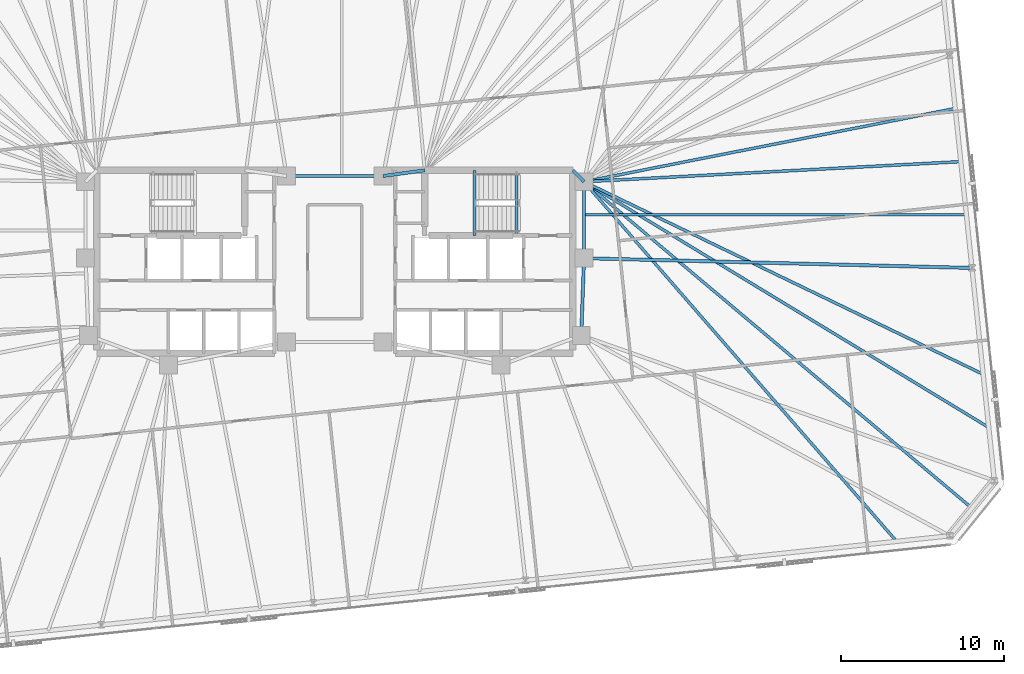
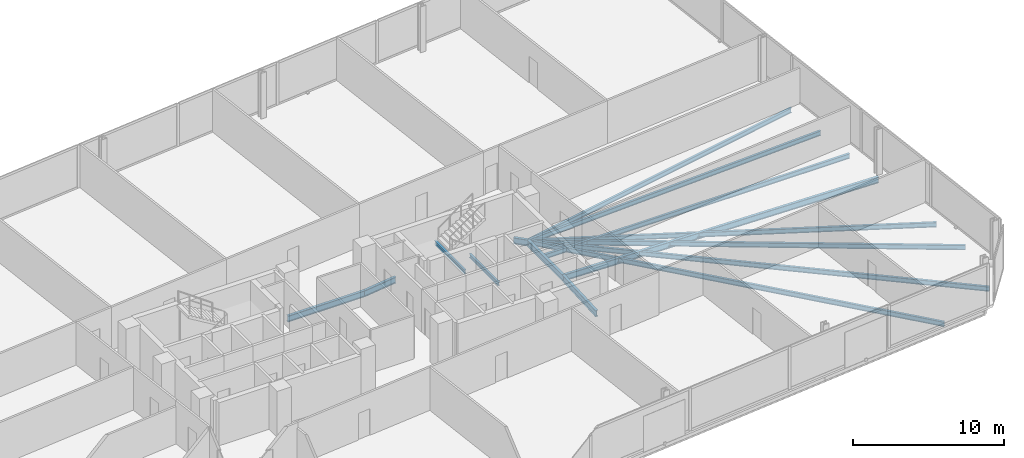
# One storey, part 8 of 18: 15 beams.
"""IFC4 building model written with IfcOpenShell, lengths in metres."""

from ifc_helpers import new_model, si_unit, direction, frame, origin, origin_2d, place, context, subcontext, project, spatial, i_section, extrude, material, material_profile, profile_set, type_object, element, save


model = new_model("IFC4")

# Units and contexts
model_context = context("Model", 3, precision=1e-05, world=origin(), true_north=direction((0.0, 1.0)))
body_context = subcontext(model_context, "Body", "Model", "MODEL_VIEW")
ifc_project = project(units=[si_unit("LENGTHUNIT", "METRE"), si_unit("AREAUNIT", "SQUARE_METRE"), si_unit("VOLUMEUNIT", "CUBIC_METRE"), si_unit("PLANEANGLEUNIT", "RADIAN"), si_unit("MASSUNIT", "GRAM", prefix="KILO")], contexts=[model_context])

# Site, building, storey
site_placement = place(None, origin())
site = spatial("IfcSite", under=ifc_project, at=site_placement, CompositionType="ELEMENT")
building_placement = place(site_placement, origin())
building = spatial("IfcBuilding", under=site, at=building_placement, Name="Menara Jurai Vektor", CompositionType="ELEMENT")
storey_placement = place(building_placement, frame((0.0, 0.0, 120.699951171875)))
storey = spatial("IfcBuildingStorey", under=building, at=storey_placement, Name="L30", CompositionType="ELEMENT", Elevation=120.699951171875)

# Beams
ifc_material = material(Name="Steel S355", Category="steel")
ifc_material_profile_1 = material_profile(ifc_material, i_section(OverallWidth=0.199951171875, OverallDepth=0.5, WebThickness=0.011962890625, FlangeThickness=0.02001953125, at=origin_2d()), Name="PG 500x200x96")
ifc_profile_set_1 = profile_set([ifc_material_profile_1], Name="Steel S355")
beam_type_1 = type_object("IfcBeamType", Name="STR-BM-500", PredefinedType="BEAM", material=ifc_profile_set_1)
beam_1_placement = place(storey_placement, frame((2.949951171875, 5.25, -0.474853515625), z_axis=(0.990706818608, 0.136014703483, 0.0), x_axis=(-0.136014703483, 0.990706818608, 0.0)))
element("IfcBeam", 1, at=beam_1_placement, inside=storey, type_object=beam_type_1, Name="Core Ring Header Girder L30-CHE-N1", PredefinedType="BEAM", context=body_context, shape_type="SweptSolid", body=[
    extrude(i_section(OverallWidth=0.199951171875, OverallDepth=0.5, WebThickness=0.011962890625, FlangeThickness=0.02001953125, at=origin_2d()), origin(), (0.0, 0.0, 1.0), 2.573974609375),
])
beam_2_placement = place(storey_placement, frame((14.56005859375, 5.60009765625, -0.474853515625), z_axis=(0.701871936926, -0.712303154672, 0.0), x_axis=(0.712303154672, 0.701871936926, 0.0)))
element("IfcBeam", 2, at=beam_2_placement, inside=storey, type_object=beam_type_1, Name="Core Ring Header Girder L30-CHE-N2", PredefinedType="BEAM", context=body_context, shape_type="SweptSolid", body=[
    extrude(i_section(OverallWidth=0.199951171875, OverallDepth=0.5, WebThickness=0.011962890625, FlangeThickness=0.02001953125, at=origin_2d()), origin(), (0.0, 0.0, 1.0), 0.98291015625),
])
beam_3_placement = place(storey_placement, frame((15.25, 0.219970703125, -0.474853515625), z_axis=(0.0, 1.0, 0.0), x_axis=(-1.0, 0.0, 0.0)))
element("IfcBeam", 3, at=beam_3_placement, inside=storey, type_object=beam_type_1, Name="Core Ring Header Girder L30-CHE-E1", PredefinedType="BEAM", context=body_context, shape_type="SweptSolid", body=[
    extrude(i_section(OverallWidth=0.199951171875, OverallDepth=0.5, WebThickness=0.011962890625, FlangeThickness=0.02001953125, at=origin_2d()), origin(), (0.0, 0.0, 1.0), 4.679931640625),
])
beam_4_placement = place(storey_placement, frame((15.080078125, -4.5, -0.474853515625), z_axis=(0.035977314146, 0.999352606874, 0.0), x_axis=(-0.999352606874, 0.035977314146, 0.0)))
element("IfcBeam", 4, at=beam_4_placement, inside=storey, type_object=beam_type_1, Name="Core Ring Header Girder L30-CHE-E2", PredefinedType="BEAM", context=body_context, shape_type="SweptSolid", body=[
    extrude(i_section(OverallWidth=0.199951171875, OverallDepth=0.5, WebThickness=0.011962890625, FlangeThickness=0.02001953125, at=origin_2d()), origin(), (0.0, 0.0, 1.0), 4.72314453125),
])
beam_5_placement = place(storey_placement, frame((-2.949951171875, 5.25, -0.474853515625), z_axis=(1.0, 0.0, 0.0), x_axis=(0.0, 1.0, 0.0)))
element("IfcBeam", 5, at=beam_5_placement, inside=storey, type_object=beam_type_1, Name="Core Ring Header Girder L30-CC-2", PredefinedType="BEAM", context=body_context, shape_type="SweptSolid", body=[
    extrude(i_section(OverallWidth=0.199951171875, OverallDepth=0.5, WebThickness=0.011962890625, FlangeThickness=0.02001953125, at=origin_2d()), origin(), (0.0, 0.0, 1.0), 5.89990234375),
])
beam_6_placement = place(storey_placement, frame((38.98828125, -0.375, -0.474853515625), z_axis=(-0.999686051749, 0.02505589629, 0.0), x_axis=(-0.02505589629, -0.999686051749, 0.0)))
element("IfcBeam", 6, at=beam_6_placement, inside=storey, type_object=beam_type_1, Name="Radial Floor Girder L30-E2", PredefinedType="BEAM", context=body_context, shape_type="SweptSolid", body=[
    extrude(i_section(OverallWidth=0.199951171875, OverallDepth=0.5, WebThickness=0.011962890625, FlangeThickness=0.02001953125, at=origin_2d()), origin(), (0.0, 0.0, 1.0), 23.745849609375),
])
ifc_material_profile_2 = material_profile(ifc_material, i_section(OverallWidth=0.175048828125, OverallDepth=0.3798828125, WebThickness=0.010009765625, FlangeThickness=0.014892578125, at=origin_2d()), Name="PG 380x175x58")
ifc_profile_set_2 = profile_set([ifc_material_profile_2], Name="Steel S355")
beam_type_2 = type_object("IfcBeamType", Name="STR-JS-380", PredefinedType="JOIST", material=ifc_profile_set_2)
beam_7_placement = place(storey_placement, frame((34.376953125, -17.106201171875, -0.4150390625), z_axis=(-0.656007047389, 0.754754763996, 0.0), x_axis=(-0.754754763996, -0.656007047389, 0.0)))
element("IfcBeam", 7, at=beam_7_placement, inside=storey, type_object=beam_type_2, Name="Radial Secondary Floor Joist L30-JS09", PredefinedType="JOIST", context=body_context, shape_type="SweptSolid", body=[
    extrude(i_section(OverallWidth=0.175048828125, OverallDepth=0.3798828125, WebThickness=0.010009765625, FlangeThickness=0.014892578125, at=origin_2d()), origin(), (0.0, 0.0, 1.0), 29.15673828125),
])
beam_8_placement = place(storey_placement, frame((38.989013671875, -15.076904296875, -0.4150390625), z_axis=(-0.765132553444, 0.643872794627, 0.0), x_axis=(-0.643872794627, -0.765132553444, 0.0)))
element("IfcBeam", 8, at=beam_8_placement, inside=storey, type_object=beam_type_2, Name="Radial Secondary Floor Joist L30-JS10", PredefinedType="JOIST", context=body_context, shape_type="SweptSolid", body=[
    extrude(i_section(OverallWidth=0.175048828125, OverallDepth=0.3798828125, WebThickness=0.010009765625, FlangeThickness=0.014892578125, at=origin_2d()), origin(), (0.0, 0.0, 1.0), 31.026123046875),
])
beam_9_placement = place(storey_placement, frame((40.01416015625, -10.13525390625, -0.4150390625), z_axis=(-0.854790986557, 0.518972416706, 0.0), x_axis=(-0.518972416706, -0.854790986557, 0.0)))
element("IfcBeam", 9, at=beam_9_placement, inside=storey, type_object=beam_type_2, Name="Radial Secondary Floor Joist L30-JS11", PredefinedType="JOIST", context=body_context, shape_type="SweptSolid", body=[
    extrude(i_section(OverallWidth=0.175048828125, OverallDepth=0.3798828125, WebThickness=0.010009765625, FlangeThickness=0.014892578125, at=origin_2d()), origin(), (0.0, 0.0, 1.0), 28.970947265625),
])
beam_10_placement = place(storey_placement, frame((39.672119140625, -6.8818359375, -0.4150390625), z_axis=(-0.90067072624, 0.434502293312, 0.0), x_axis=(-0.434502293312, -0.90067072624, 0.0)))
element("IfcBeam", 10, at=beam_10_placement, inside=storey, type_object=beam_type_2, Name="Radial Secondary Floor Joist L30-JS12", PredefinedType="JOIST", context=body_context, shape_type="SweptSolid", body=[
    extrude(i_section(OverallWidth=0.175048828125, OverallDepth=0.3798828125, WebThickness=0.010009765625, FlangeThickness=0.014892578125, at=origin_2d()), origin(), (0.0, 0.0, 1.0), 27.115478515625),
])
beam_11_placement = place(storey_placement, frame((38.646484375, 2.87841796875, -0.4150390625), z_axis=(-1.0, 0.0, 0.0), x_axis=(0.0, -1.0, 0.0)))
element("IfcBeam", 11, at=beam_11_placement, inside=storey, type_object=beam_type_2, Name="Radial Secondary Floor Joist L30-JS13", PredefinedType="JOIST", context=body_context, shape_type="SweptSolid", body=[
    extrude(i_section(OverallWidth=0.175048828125, OverallDepth=0.3798828125, WebThickness=0.010009765625, FlangeThickness=0.014892578125, at=origin_2d()), origin(), (0.0, 0.0, 1.0), 23.396484375),
])
beam_12_placement = place(storey_placement, frame((38.304443359375, 6.131591796875, -0.4150390625), z_axis=(-0.998575919005, -0.053349170414, 0.0), x_axis=(0.053349170414, -0.998575919005, 0.0)))
element("IfcBeam", 12, at=beam_12_placement, inside=storey, type_object=beam_type_2, Name="Radial Secondary Floor Joist L30-JS14", PredefinedType="JOIST", context=body_context, shape_type="SweptSolid", body=[
    extrude(i_section(OverallWidth=0.175048828125, OverallDepth=0.3798828125, WebThickness=0.010009765625, FlangeThickness=0.014892578125, at=origin_2d()), origin(), (0.0, 0.0, 1.0), 23.08740234375),
])
beam_13_placement = place(storey_placement, frame((37.96240234375, 9.385009765625, -0.4150390625), z_axis=(-0.981054359007, -0.193732662897, 0.0), x_axis=(0.193732662897, -0.981054359007, 0.0)))
element("IfcBeam", 13, at=beam_13_placement, inside=storey, type_object=beam_type_2, Name="Radial Secondary Floor Joist L30-JS15", PredefinedType="JOIST", context=body_context, shape_type="SweptSolid", body=[
    extrude(i_section(OverallWidth=0.175048828125, OverallDepth=0.3798828125, WebThickness=0.010009765625, FlangeThickness=0.014892578125, at=origin_2d()), origin(), (0.0, 0.0, 1.0), 23.151123046875),
])
ifc_material_profile_3 = material_profile(ifc_material, i_section(OverallWidth=0.1650390625, OverallDepth=0.302978515625, WebThickness=0.006103515625, FlangeThickness=0.010009765625, FilletRadius=0.009033203125, at=origin_2d()), Name="UKB 305x165x40")
ifc_profile_set_3 = profile_set([ifc_material_profile_3], Name="Steel S355")
beam_type_3 = type_object("IfcBeamType", Name="STR-LN-305", PredefinedType="LINTEL", material=ifc_profile_set_3)
beam_14_placement = place(storey_placement, frame((11.1201171875, 1.60009765625, -0.37646484375), z_axis=(0.0, 1.0, 0.0), x_axis=(-1.0, 0.0, 0.0)))
element("IfcBeam", 14, at=beam_14_placement, inside=storey, type_object=beam_type_3, Name="Stair Well Floor Trimmer ST2 L30", PredefinedType="LINTEL", context=body_context, shape_type="SweptSolid", body=[
    extrude(i_section(OverallWidth=0.1650390625, OverallDepth=0.302978515625, WebThickness=0.006103515625, FlangeThickness=0.010009765625, FilletRadius=0.009033203125, at=origin_2d()), origin(), (0.0, 0.0, 1.0), 3.81982421875),
])
beam_15_placement = place(storey_placement, frame((8.550048828125, 1.60009765625, 1.49853515625), z_axis=(0.0, 1.0, 0.0), x_axis=(-1.0, 0.0, 0.0)))
element("IfcBeam", 15, at=beam_15_placement, inside=storey, type_object=beam_type_3, Name="Stair Half-Landing Nosing Trimmer ST2-1 L30", PredefinedType="LINTEL", context=body_context, shape_type="SweptSolid", body=[
    extrude(i_section(OverallWidth=0.1650390625, OverallDepth=0.302978515625, WebThickness=0.006103515625, FlangeThickness=0.010009765625, FilletRadius=0.009033203125, at=origin_2d()), origin(), (0.0, 0.0, 1.0), 4.0),
])

save(model, "model.ifc")
